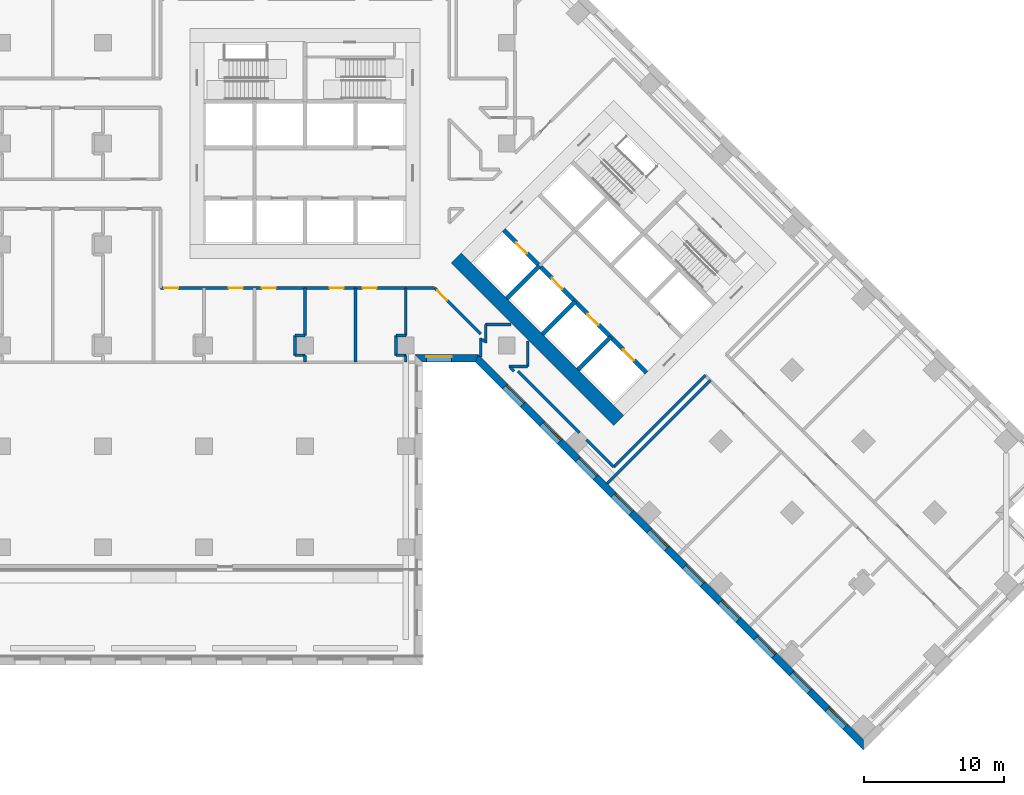
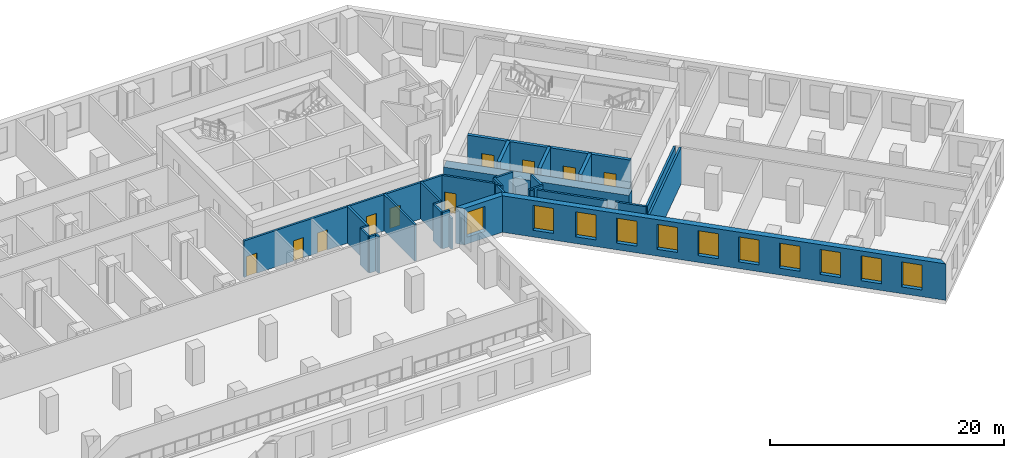
# One storey, part 7 of 14: 31 walls, 11 windows, 10 doors, 21 openings.
"""IFC4 building model written with IfcOpenShell, lengths in metres."""

from ifc_helpers import new_model, si_unit, direction, frame, frame_2d, origin, place, context, subcontext, project, spatial, polyline, rectangle, outline, extrude, material, layer, layer_set, type_object, element, fill, save


model = new_model("IFC4")

# Units and contexts
model_context = context("Model", 3, precision=1e-05, world=origin(), true_north=direction((0.0, 1.0)))
body_context = subcontext(model_context, "Body", "Model", "MODEL_VIEW")
ifc_project = project(units=[si_unit("LENGTHUNIT", "METRE"), si_unit("AREAUNIT", "SQUARE_METRE"), si_unit("VOLUMEUNIT", "CUBIC_METRE"), si_unit("PLANEANGLEUNIT", "RADIAN"), si_unit("MASSUNIT", "GRAM", prefix="KILO")], contexts=[model_context])

# Site, building, storey
site_placement = place(None, origin())
site = spatial("IfcSite", under=ifc_project, at=site_placement, CompositionType="ELEMENT")
building_placement = place(site_placement, origin())
building = spatial("IfcBuilding", under=site, at=building_placement, Name="Windrow Commons", CompositionType="ELEMENT")
storey_placement = place(building_placement, frame((0.0, 0.0, 10.2)))
storey = spatial("IfcBuildingStorey", under=building, at=storey_placement, Name="L02", CompositionType="ELEMENT", Elevation=10.2)

# Wall, opening, window
ifc_material_1 = material(Name="Brick masonry, red clay brick", Category="masonry")
ifc_layer_1 = layer(ifc_material_1, 0.55)
ifc_layer_set_1 = layer_set([ifc_layer_1], Name="Brick facade wall 550")
wall_type_1 = type_object("IfcWallType", Name="Brick facade wall 550", PredefinedType="SOLIDWALL", material=ifc_layer_set_1)
wall_1_placement = place(storey_placement, frame((72.925, 42.275, 0.0), z_axis=(0.0, 0.0, 1.0), x_axis=(1.0, 0.0, 0.0)))
wall_1 = element("IfcWall", 1, at=wall_1_placement, inside=storey, type_object=wall_type_1, Name="Brick facade wall L02 15", PredefinedType="SOLIDWALL", context=body_context, shape_type="SweptSolid", body=[
    extrude(outline(polyline([(0.275, -0.275), (4.0309, -0.275), (4.2587, 0.275), (-0.275, 0.275), (0.275, -0.275)])), origin(), (0.0, 0.0, 1.0), 3.8),
])
opening_1_placement = place(wall_1_placement, frame((0.5375, 0.0, 0.7)))
opening_1 = element("IfcOpeningElement", 2, at=opening_1_placement, cuts=wall_1, Name="Opening W2", PredefinedType="OPENING", context=body_context, shape_type="SweptSolid", body=[
    extrude(rectangle(XDim=1.8, YDim=2.6, at=frame_2d((0.9, 1.3))), frame((0.0, 0.285, 0.0), z_axis=(0.0, -1.0, 0.0), x_axis=(1.0, 0.0, 0.0)), (0.0, 0.0, 1.0), 0.57),
])
ifc_material_2 = material(Name="Clear float glass in anodised aluminium frame", Category="aluminium")
window_type = type_object("IfcWindowType", Name="Window W2 podium 1800x2600", PartitioningType="SINGLE_PANEL", PredefinedType="WINDOW", material=ifc_material_2)
window_1_placement = place(opening_1_placement, origin())
window_1 = element("IfcWindow", 3, at=window_1_placement, inside=storey, type_object=window_type, Name="Window L02 15.1", OverallHeight=2.6, OverallWidth=1.8, PartitioningType="SINGLE_PANEL", PredefinedType="WINDOW", context=body_context, shape_type="SweptSolid", body=[
    extrude(rectangle(XDim=1.8, YDim=2.6, at=frame_2d((0.9, 1.3))), frame((0.0, 0.155, 0.0), z_axis=(0.0, -1.0, 0.0), x_axis=(1.0, 0.0, 0.0)), (0.0, 0.0, 1.0), 0.06),
])
fill(opening_1, window_1)

# Wall, openings, windows
wall_2_placement = place(storey_placement, frame((77.0698, 42.275, 0.0), z_axis=(0.0, 0.0, 1.0), x_axis=(0.7071067812, -0.7071067812, 0.0)))
wall_2 = element("IfcWall", 4, at=wall_2_placement, inside=storey, type_object=wall_type_1, Name="Brick facade wall L02 16", PredefinedType="SOLIDWALL", context=body_context, shape_type="SweptSolid", body=[
    extrude(outline(polyline([(0.1139, -0.275), (39.2875, -0.275), (38.7375, 0.275), (-0.1139, 0.275), (0.1139, -0.275)])), origin(), (0.0, 0.0, 1.0), 3.8),
])
opening_2_placement = place(wall_2_placement, frame((2.8375, 0.0, 0.7)))
opening_2 = element("IfcOpeningElement", 5, at=opening_2_placement, cuts=wall_2, Name="Opening W2", PredefinedType="OPENING", context=body_context, shape_type="SweptSolid", body=[
    extrude(rectangle(XDim=1.8, YDim=2.6, at=frame_2d((0.9, 1.3))), frame((0.0, 0.285, 0.0), z_axis=(0.0, -1.0, 0.0), x_axis=(1.0, 0.0, 0.0)), (0.0, 0.0, 1.0), 0.57),
])
opening_3_placement = place(wall_2_placement, frame((6.5875, 0.0, 0.7)))
opening_3 = element("IfcOpeningElement", 6, at=opening_3_placement, cuts=wall_2, Name="Opening W2", PredefinedType="OPENING", context=body_context, shape_type="SweptSolid", body=[
    extrude(rectangle(XDim=1.8, YDim=2.6, at=frame_2d((0.9, 1.3))), frame((0.0, 0.285, 0.0), z_axis=(0.0, -1.0, 0.0), x_axis=(1.0, 0.0, 0.0)), (0.0, 0.0, 1.0), 0.57),
])
opening_4_placement = place(wall_2_placement, frame((10.1875, 0.0, 0.7)))
opening_4 = element("IfcOpeningElement", 7, at=opening_4_placement, cuts=wall_2, Name="Opening W2", PredefinedType="OPENING", context=body_context, shape_type="SweptSolid", body=[
    extrude(rectangle(XDim=1.8, YDim=2.6, at=frame_2d((0.9, 1.3))), frame((0.0, 0.285, 0.0), z_axis=(0.0, -1.0, 0.0), x_axis=(1.0, 0.0, 0.0)), (0.0, 0.0, 1.0), 0.57),
])
opening_5_placement = place(wall_2_placement, frame((13.7875, 0.0, 0.7)))
opening_5 = element("IfcOpeningElement", 8, at=opening_5_placement, cuts=wall_2, Name="Opening W2", PredefinedType="OPENING", context=body_context, shape_type="SweptSolid", body=[
    extrude(rectangle(XDim=1.8, YDim=2.6, at=frame_2d((0.9, 1.3))), frame((0.0, 0.285, 0.0), z_axis=(0.0, -1.0, 0.0), x_axis=(1.0, 0.0, 0.0)), (0.0, 0.0, 1.0), 0.57),
])
opening_6_placement = place(wall_2_placement, frame((17.3875, 0.0, 0.7)))
opening_6 = element("IfcOpeningElement", 9, at=opening_6_placement, cuts=wall_2, Name="Opening W2", PredefinedType="OPENING", context=body_context, shape_type="SweptSolid", body=[
    extrude(rectangle(XDim=1.8, YDim=2.6, at=frame_2d((0.9, 1.3))), frame((0.0, 0.285, 0.0), z_axis=(0.0, -1.0, 0.0), x_axis=(1.0, 0.0, 0.0)), (0.0, 0.0, 1.0), 0.57),
])
opening_7_placement = place(wall_2_placement, frame((20.9875, 0.0, 0.7)))
opening_7 = element("IfcOpeningElement", 10, at=opening_7_placement, cuts=wall_2, Name="Opening W2", PredefinedType="OPENING", context=body_context, shape_type="SweptSolid", body=[
    extrude(rectangle(XDim=1.8, YDim=2.6, at=frame_2d((0.9, 1.3))), frame((0.0, 0.285, 0.0), z_axis=(0.0, -1.0, 0.0), x_axis=(1.0, 0.0, 0.0)), (0.0, 0.0, 1.0), 0.57),
])
opening_8_placement = place(wall_2_placement, frame((24.5875, 0.0, 0.7)))
opening_8 = element("IfcOpeningElement", 11, at=opening_8_placement, cuts=wall_2, Name="Opening W2", PredefinedType="OPENING", context=body_context, shape_type="SweptSolid", body=[
    extrude(rectangle(XDim=1.8, YDim=2.6, at=frame_2d((0.9, 1.3))), frame((0.0, 0.285, 0.0), z_axis=(0.0, -1.0, 0.0), x_axis=(1.0, 0.0, 0.0)), (0.0, 0.0, 1.0), 0.57),
])
opening_9_placement = place(wall_2_placement, frame((28.1875, 0.0, 0.7)))
opening_9 = element("IfcOpeningElement", 12, at=opening_9_placement, cuts=wall_2, Name="Opening W2", PredefinedType="OPENING", context=body_context, shape_type="SweptSolid", body=[
    extrude(rectangle(XDim=1.8, YDim=2.6, at=frame_2d((0.9, 1.3))), frame((0.0, 0.285, 0.0), z_axis=(0.0, -1.0, 0.0), x_axis=(1.0, 0.0, 0.0)), (0.0, 0.0, 1.0), 0.57),
])
opening_10_placement = place(wall_2_placement, frame((31.7875, 0.0, 0.7)))
opening_10 = element("IfcOpeningElement", 13, at=opening_10_placement, cuts=wall_2, Name="Opening W2", PredefinedType="OPENING", context=body_context, shape_type="SweptSolid", body=[
    extrude(rectangle(XDim=1.8, YDim=2.6, at=frame_2d((0.9, 1.3))), frame((0.0, 0.285, 0.0), z_axis=(0.0, -1.0, 0.0), x_axis=(1.0, 0.0, 0.0)), (0.0, 0.0, 1.0), 0.57),
])
opening_11_placement = place(wall_2_placement, frame((35.3875, 0.0, 0.7)))
opening_11 = element("IfcOpeningElement", 14, at=opening_11_placement, cuts=wall_2, Name="Opening W2", PredefinedType="OPENING", context=body_context, shape_type="SweptSolid", body=[
    extrude(rectangle(XDim=1.8, YDim=2.6, at=frame_2d((0.9, 1.3))), frame((0.0, 0.285, 0.0), z_axis=(0.0, -1.0, 0.0), x_axis=(1.0, 0.0, 0.0)), (0.0, 0.0, 1.0), 0.57),
])
window_2_placement = place(opening_2_placement, origin())
window_2 = element("IfcWindow", 15, at=window_2_placement, inside=storey, type_object=window_type, Name="Window L02 16.1", OverallHeight=2.6, OverallWidth=1.8, PartitioningType="SINGLE_PANEL", PredefinedType="WINDOW", context=body_context, shape_type="SweptSolid", body=[
    extrude(rectangle(XDim=1.8, YDim=2.6, at=frame_2d((0.9, 1.3))), frame((0.0, 0.155, 0.0), z_axis=(0.0, -1.0, 0.0), x_axis=(1.0, 0.0, 0.0)), (0.0, 0.0, 1.0), 0.06),
])
fill(opening_2, window_2)
window_3_placement = place(opening_3_placement, origin())
window_3 = element("IfcWindow", 16, at=window_3_placement, inside=storey, type_object=window_type, Name="Window L02 16.2", OverallHeight=2.6, OverallWidth=1.8, PartitioningType="SINGLE_PANEL", PredefinedType="WINDOW", context=body_context, shape_type="SweptSolid", body=[
    extrude(rectangle(XDim=1.8, YDim=2.6, at=frame_2d((0.9, 1.3))), frame((0.0, 0.155, 0.0), z_axis=(0.0, -1.0, 0.0), x_axis=(1.0, 0.0, 0.0)), (0.0, 0.0, 1.0), 0.06),
])
fill(opening_3, window_3)
window_4_placement = place(opening_4_placement, origin())
window_4 = element("IfcWindow", 17, at=window_4_placement, inside=storey, type_object=window_type, Name="Window L02 16.3", OverallHeight=2.6, OverallWidth=1.8, PartitioningType="SINGLE_PANEL", PredefinedType="WINDOW", context=body_context, shape_type="SweptSolid", body=[
    extrude(rectangle(XDim=1.8, YDim=2.6, at=frame_2d((0.9, 1.3))), frame((0.0, 0.155, 0.0), z_axis=(0.0, -1.0, 0.0), x_axis=(1.0, 0.0, 0.0)), (0.0, 0.0, 1.0), 0.06),
])
fill(opening_4, window_4)
window_5_placement = place(opening_5_placement, origin())
window_5 = element("IfcWindow", 18, at=window_5_placement, inside=storey, type_object=window_type, Name="Window L02 16.4", OverallHeight=2.6, OverallWidth=1.8, PartitioningType="SINGLE_PANEL", PredefinedType="WINDOW", context=body_context, shape_type="SweptSolid", body=[
    extrude(rectangle(XDim=1.8, YDim=2.6, at=frame_2d((0.9, 1.3))), frame((0.0, 0.155, 0.0), z_axis=(0.0, -1.0, 0.0), x_axis=(1.0, 0.0, 0.0)), (0.0, 0.0, 1.0), 0.06),
])
fill(opening_5, window_5)
window_6_placement = place(opening_6_placement, origin())
window_6 = element("IfcWindow", 19, at=window_6_placement, inside=storey, type_object=window_type, Name="Window L02 16.5", OverallHeight=2.6, OverallWidth=1.8, PartitioningType="SINGLE_PANEL", PredefinedType="WINDOW", context=body_context, shape_type="SweptSolid", body=[
    extrude(rectangle(XDim=1.8, YDim=2.6, at=frame_2d((0.9, 1.3))), frame((0.0, 0.155, 0.0), z_axis=(0.0, -1.0, 0.0), x_axis=(1.0, 0.0, 0.0)), (0.0, 0.0, 1.0), 0.06),
])
fill(opening_6, window_6)
window_7_placement = place(opening_7_placement, origin())
window_7 = element("IfcWindow", 20, at=window_7_placement, inside=storey, type_object=window_type, Name="Window L02 16.6", OverallHeight=2.6, OverallWidth=1.8, PartitioningType="SINGLE_PANEL", PredefinedType="WINDOW", context=body_context, shape_type="SweptSolid", body=[
    extrude(rectangle(XDim=1.8, YDim=2.6, at=frame_2d((0.9, 1.3))), frame((0.0, 0.155, 0.0), z_axis=(0.0, -1.0, 0.0), x_axis=(1.0, 0.0, 0.0)), (0.0, 0.0, 1.0), 0.06),
])
fill(opening_7, window_7)
window_8_placement = place(opening_8_placement, origin())
window_8 = element("IfcWindow", 21, at=window_8_placement, inside=storey, type_object=window_type, Name="Window L02 16.7", OverallHeight=2.6, OverallWidth=1.8, PartitioningType="SINGLE_PANEL", PredefinedType="WINDOW", context=body_context, shape_type="SweptSolid", body=[
    extrude(rectangle(XDim=1.8, YDim=2.6, at=frame_2d((0.9, 1.3))), frame((0.0, 0.155, 0.0), z_axis=(0.0, -1.0, 0.0), x_axis=(1.0, 0.0, 0.0)), (0.0, 0.0, 1.0), 0.06),
])
fill(opening_8, window_8)
window_9_placement = place(opening_9_placement, origin())
window_9 = element("IfcWindow", 22, at=window_9_placement, inside=storey, type_object=window_type, Name="Window L02 16.8", OverallHeight=2.6, OverallWidth=1.8, PartitioningType="SINGLE_PANEL", PredefinedType="WINDOW", context=body_context, shape_type="SweptSolid", body=[
    extrude(rectangle(XDim=1.8, YDim=2.6, at=frame_2d((0.9, 1.3))), frame((0.0, 0.155, 0.0), z_axis=(0.0, -1.0, 0.0), x_axis=(1.0, 0.0, 0.0)), (0.0, 0.0, 1.0), 0.06),
])
fill(opening_9, window_9)
window_10_placement = place(opening_10_placement, origin())
window_10 = element("IfcWindow", 23, at=window_10_placement, inside=storey, type_object=window_type, Name="Window L02 16.9", OverallHeight=2.6, OverallWidth=1.8, PartitioningType="SINGLE_PANEL", PredefinedType="WINDOW", context=body_context, shape_type="SweptSolid", body=[
    extrude(rectangle(XDim=1.8, YDim=2.6, at=frame_2d((0.9, 1.3))), frame((0.0, 0.155, 0.0), z_axis=(0.0, -1.0, 0.0), x_axis=(1.0, 0.0, 0.0)), (0.0, 0.0, 1.0), 0.06),
])
fill(opening_10, window_10)
window_11_placement = place(opening_11_placement, origin())
window_11 = element("IfcWindow", 24, at=window_11_placement, inside=storey, type_object=window_type, Name="Window L02 16.10", OverallHeight=2.6, OverallWidth=1.8, PartitioningType="SINGLE_PANEL", PredefinedType="WINDOW", context=body_context, shape_type="SweptSolid", body=[
    extrude(rectangle(XDim=1.8, YDim=2.6, at=frame_2d((0.9, 1.3))), frame((0.0, 0.155, 0.0), z_axis=(0.0, -1.0, 0.0), x_axis=(1.0, 0.0, 0.0)), (0.0, 0.0, 1.0), 0.06),
])
fill(opening_11, window_11)

# Wall, openings, doors
ifc_material_3 = material(Name="Blockwork partition", Category="masonry")
ifc_layer_2 = layer(ifc_material_3, 0.2)
ifc_layer_set_2 = layer_set([ifc_layer_2], Name="IW-CORRIDOR-200")
wall_type_2 = type_object("IfcWallType", Name="IW-CORRIDOR-200", PredefinedType="PARTITIONING", material=ifc_layer_set_2)
wall_3_placement = place(storey_placement, frame((54.5, 47.3, 0.0), z_axis=(0.0, 0.0, 1.0), x_axis=(1.0, 0.0, 0.0)))
wall_3 = element("IfcWall", 25, at=wall_3_placement, inside=storey, type_object=wall_type_2, Name="W-L02-W008", PredefinedType="PARTITIONING", context=body_context, shape_type="SweptSolid", body=[
    extrude(rectangle(XDim=19.56, YDim=0.2, at=frame_2d((9.78, 0.0))), origin(), (0.0, 0.0, 1.0), 3.8),
])
opening_12_placement = place(wall_3_placement, frame((0.2524, 0.0, 0.0)))
opening_12 = element("IfcOpeningElement", 26, at=opening_12_placement, cuts=wall_3, Name="Opening D310F", PredefinedType="OPENING", context=body_context, shape_type="SweptSolid", body=[
    extrude(rectangle(XDim=1.0, YDim=2.1, at=frame_2d((0.5, 1.05))), frame((0.0, 0.11, 0.0), z_axis=(0.0, -1.0, 0.0), x_axis=(1.0, 0.0, 0.0)), (0.0, 0.0, 1.0), 0.22),
])
opening_13_placement = place(wall_3_placement, frame((4.865, 0.0, 0.0)))
opening_13 = element("IfcOpeningElement", 27, at=opening_13_placement, cuts=wall_3, Name="Opening D310F", PredefinedType="OPENING", context=body_context, shape_type="SweptSolid", body=[
    extrude(rectangle(XDim=1.0, YDim=2.1, at=frame_2d((0.5, 1.05))), frame((0.0, 0.11, 0.0), z_axis=(0.0, -1.0, 0.0), x_axis=(1.0, 0.0, 0.0)), (0.0, 0.0, 1.0), 0.22),
])
opening_14_placement = place(wall_3_placement, frame((7.225, 0.0, 0.0)))
opening_14 = element("IfcOpeningElement", 28, at=opening_14_placement, cuts=wall_3, Name="Opening D310F", PredefinedType="OPENING", context=body_context, shape_type="SweptSolid", body=[
    extrude(rectangle(XDim=1.0, YDim=2.1, at=frame_2d((0.5, 1.05))), frame((0.0, 0.11, 0.0), z_axis=(0.0, -1.0, 0.0), x_axis=(1.0, 0.0, 0.0)), (0.0, 0.0, 1.0), 0.22),
])
opening_15_placement = place(wall_3_placement, frame((12.065, 0.0, 0.0)))
opening_15 = element("IfcOpeningElement", 29, at=opening_15_placement, cuts=wall_3, Name="Opening D310F", PredefinedType="OPENING", context=body_context, shape_type="SweptSolid", body=[
    extrude(rectangle(XDim=1.0, YDim=2.1, at=frame_2d((0.5, 1.05))), frame((0.0, 0.11, 0.0), z_axis=(0.0, -1.0, 0.0), x_axis=(1.0, 0.0, 0.0)), (0.0, 0.0, 1.0), 0.22),
])
opening_16_placement = place(wall_3_placement, frame((14.425, 0.0, 0.0)))
opening_16 = element("IfcOpeningElement", 30, at=opening_16_placement, cuts=wall_3, Name="Opening D310F", PredefinedType="OPENING", context=body_context, shape_type="SweptSolid", body=[
    extrude(rectangle(XDim=1.0, YDim=2.1, at=frame_2d((0.5, 1.05))), frame((0.0, 0.11, 0.0), z_axis=(0.0, -1.0, 0.0), x_axis=(1.0, 0.0, 0.0)), (0.0, 0.0, 1.0), 0.22),
])
ifc_material_4 = material(Name="Timber door leaf", Category="wood")
door_type_1 = type_object("IfcDoorType", Name="DT-AMENITY-1000", OperationType="SINGLE_SWING_LEFT", PredefinedType="DOOR", material=ifc_material_4)
door_1_placement = place(opening_12_placement, origin())
door_1 = element("IfcDoor", 31, at=door_1_placement, inside=storey, type_object=door_type_1, Name="D-L02-D011", OperationType="SINGLE_SWING_RIGHT", OverallHeight=2.1, OverallWidth=1.0, PredefinedType="DOOR", context=body_context, shape_type="SweptSolid", body=[
    extrude(rectangle(XDim=1.0, YDim=2.1, at=frame_2d((0.5, 1.05))), frame((0.0, 0.025, 0.0), z_axis=(0.0, -1.0, 0.0), x_axis=(1.0, 0.0, 0.0)), (0.0, 0.0, 1.0), 0.05),
])
fill(opening_12, door_1)
door_2_placement = place(opening_13_placement, origin())
door_2 = element("IfcDoor", 32, at=door_2_placement, inside=storey, type_object=door_type_1, Name="D-L02-D012", OperationType="SINGLE_SWING_LEFT", OverallHeight=2.1, OverallWidth=1.0, PredefinedType="DOOR", context=body_context, shape_type="SweptSolid", body=[
    extrude(rectangle(XDim=1.0, YDim=2.1, at=frame_2d((0.5, 1.05))), frame((0.0, 0.025, 0.0), z_axis=(0.0, -1.0, 0.0), x_axis=(1.0, 0.0, 0.0)), (0.0, 0.0, 1.0), 0.05),
])
fill(opening_13, door_2)
door_3_placement = place(opening_14_placement, origin())
door_3 = element("IfcDoor", 33, at=door_3_placement, inside=storey, type_object=door_type_1, Name="D-L02-D013", OperationType="SINGLE_SWING_RIGHT", OverallHeight=2.1, OverallWidth=1.0, PredefinedType="DOOR", context=body_context, shape_type="SweptSolid", body=[
    extrude(rectangle(XDim=1.0, YDim=2.1, at=frame_2d((0.5, 1.05))), frame((0.0, 0.025, 0.0), z_axis=(0.0, -1.0, 0.0), x_axis=(1.0, 0.0, 0.0)), (0.0, 0.0, 1.0), 0.05),
])
fill(opening_14, door_3)
door_4_placement = place(opening_15_placement, origin())
door_4 = element("IfcDoor", 34, at=door_4_placement, inside=storey, type_object=door_type_1, Name="D-L02-D014", OperationType="SINGLE_SWING_LEFT", OverallHeight=2.1, OverallWidth=1.0, PredefinedType="DOOR", context=body_context, shape_type="SweptSolid", body=[
    extrude(rectangle(XDim=1.0, YDim=2.1, at=frame_2d((0.5, 1.05))), frame((0.0, 0.025, 0.0), z_axis=(0.0, -1.0, 0.0), x_axis=(1.0, 0.0, 0.0)), (0.0, 0.0, 1.0), 0.05),
])
fill(opening_15, door_4)
door_5_placement = place(opening_16_placement, origin())
door_5 = element("IfcDoor", 35, at=door_5_placement, inside=storey, type_object=door_type_1, Name="D-L02-D015", OperationType="SINGLE_SWING_RIGHT", OverallHeight=2.1, OverallWidth=1.0, PredefinedType="DOOR", context=body_context, shape_type="SweptSolid", body=[
    extrude(rectangle(XDim=1.0, YDim=2.1, at=frame_2d((0.5, 1.05))), frame((0.0, 0.025, 0.0), z_axis=(0.0, -1.0, 0.0), x_axis=(1.0, 0.0, 0.0)), (0.0, 0.0, 1.0), 0.05),
])
fill(opening_16, door_5)

# Walls
wall_4_placement = place(storey_placement, frame((86.8359, 34.5241, 0.0), z_axis=(0.0, 0.0, 1.0), x_axis=(0.7071067812, 0.7071067812, 0.0)))
element("IfcWall", 36, at=wall_4_placement, inside=storey, type_object=wall_type_2, Name="W-L02-W031", PredefinedType="PARTITIONING", context=body_context, shape_type="SweptSolid", body=[
    extrude(rectangle(XDim=9.249, YDim=0.2, at=frame_2d((4.6245, 0.0))), origin(), (0.0, 0.0, 1.0), 3.8),
])
wall_5_placement = place(storey_placement, frame((80.0068, 41.3468, 0.0), z_axis=(0.0, 0.0, 1.0), x_axis=(0.7071067812, -0.7071067812, 0.0)))
element("IfcWall", 37, at=wall_5_placement, inside=storey, type_object=wall_type_2, Name="W-L02-W038", PredefinedType="PARTITIONING", context=body_context, shape_type="SweptSolid", body=[
    extrude(rectangle(XDim=6.2056, YDim=0.2, at=frame_2d((3.1028, 0.0))), origin(), (0.0, 0.0, 1.0), 3.8),
])

# Wall, opening, door
wall_6_placement = place(storey_placement, frame((74.0568, 47.2968, 0.0), z_axis=(0.0, 0.0, 1.0), x_axis=(0.7071067812, -0.7071067812, 0.0)))
wall_6 = element("IfcWall", 38, at=wall_6_placement, inside=storey, type_object=wall_type_2, Name="W-L02-W062", PredefinedType="PARTITIONING", context=body_context, shape_type="SweptSolid", body=[
    extrude(rectangle(XDim=4.6528, YDim=0.2, at=frame_2d((2.3264, 0.0))), origin(), (0.0, 0.0, 1.0), 3.8),
])
opening_17_placement = place(wall_6_placement, frame((0.2665, 0.0, 0.0)))
opening_17 = element("IfcOpeningElement", 39, at=opening_17_placement, cuts=wall_6, Name="Opening D310F", PredefinedType="OPENING", context=body_context, shape_type="SweptSolid", body=[
    extrude(rectangle(XDim=1.0, YDim=2.1, at=frame_2d((0.5, 1.05))), frame((0.0, 0.11, 0.0), z_axis=(0.0, -1.0, 0.0), x_axis=(1.0, 0.0, 0.0)), (0.0, 0.0, 1.0), 0.22),
])
door_6_placement = place(opening_17_placement, origin())
door_6 = element("IfcDoor", 40, at=door_6_placement, inside=storey, type_object=door_type_1, Name="D-L02-D016", OperationType="SINGLE_SWING_LEFT", OverallHeight=2.1, OverallWidth=1.0, PredefinedType="DOOR", context=body_context, shape_type="SweptSolid", body=[
    extrude(rectangle(XDim=1.0, YDim=2.1, at=frame_2d((0.5, 1.05))), frame((0.0, 0.025, 0.0), z_axis=(0.0, -1.0, 0.0), x_axis=(1.0, 0.0, 0.0)), (0.0, 0.0, 1.0), 0.05),
])
fill(opening_17, door_6)

# Walls
wall_7_placement = place(storey_placement, frame((84.8888, 36.4648, 0.0), z_axis=(0.0, 0.0, 1.0), x_axis=(0.7071067812, -0.7071067812, 0.0)))
element("IfcWall", 41, at=wall_7_placement, inside=storey, type_object=wall_type_2, Name="W-L02-W075", PredefinedType="PARTITIONING", context=body_context, shape_type="SweptSolid", body=[
    extrude(rectangle(XDim=2.7492, YDim=0.2, at=frame_2d((1.3746, 0.0))), origin(), (0.0, 0.0, 1.0), 3.8),
])
for number, where, z_axis, x_axis, name in (
    (42, (77.702, 44.7, 0.0), (0.0, 0.0, 1.0), (1.0, 0.0, 0.0), "W-L02-W100"),
    (43, (80.7, 41.702, 0.0), (0.0, 0.0, 1.0), (0.0, 1.0, 0.0), "W-L02-W101"),
):
    element("IfcWall", number, at=place(storey_placement, frame(where, z_axis=z_axis, x_axis=x_axis)), inside=storey, type_object=wall_type_2, Name=name, PredefinedType="PARTITIONING", context=body_context, shape_type="SweptSolid", body=[
        extrude(rectangle(XDim=1.814, YDim=0.2, at=frame_2d((0.907, 0.0))), origin(), (0.0, 0.0, 1.0), 3.8),
    ])
for number, where, z_axis, x_axis, name in (
    (44, (77.7, 43.378, 0.0), (0.0, 0.0, 1.0), (0.0, 1.0, 0.0), "W-L02-W125"),
    (45, (79.378, 41.7, 0.0), (0.0, 0.0, 1.0), (1.0, 0.0, 0.0), "W-L02-W126"),
):
    element("IfcWall", number, at=place(storey_placement, frame(where, z_axis=z_axis, x_axis=x_axis)), inside=storey, type_object=wall_type_2, Name=name, PredefinedType="PARTITIONING", context=body_context, shape_type="SweptSolid", body=[
        extrude(rectangle(XDim=1.322, YDim=0.2, at=frame_2d((0.661, 0.0))), origin(), (0.0, 0.0, 1.0), 3.8),
    ])
wall_8_placement = place(storey_placement, frame((77.4454, 43.6396, 0.0), z_axis=(0.0, 0.0, 1.0), x_axis=(0.7071067812, -0.7071067812, 0.0)))
element("IfcWall", 46, at=wall_8_placement, inside=storey, type_object=wall_type_2, Name="W-L02-W187", PredefinedType="PARTITIONING", context=body_context, shape_type="SweptSolid", body=[
    extrude(rectangle(XDim=0.225, YDim=0.2, at=frame_2d((0.1125, 0.0))), origin(), (0.0, 0.0, 1.0), 3.8),
])
wall_9_placement = place(storey_placement, frame((79.4805, 41.6045, 0.0), z_axis=(0.0, 0.0, 1.0), x_axis=(0.7071067812, -0.7071067812, 0.0)))
element("IfcWall", 47, at=wall_9_placement, inside=storey, type_object=wall_type_2, Name="W-L02-W188", PredefinedType="PARTITIONING", context=body_context, shape_type="SweptSolid", body=[
    extrude(rectangle(XDim=0.355, YDim=0.2, at=frame_2d((0.1775, 0.0))), origin(), (0.0, 0.0, 1.0), 3.8),
])
ifc_material_5 = material(Name="Blockwork partition", Category="masonry")
ifc_layer_3 = layer(ifc_material_5, 0.2)
ifc_layer_set_3 = layer_set([ifc_layer_3], Name="IW-PARTY-200")
wall_type_3 = type_object("IfcWallType", Name="IW-PARTY-200", PredefinedType="PARTITIONING", material=ifc_layer_set_3)
wall_10_placement = place(storey_placement, frame((86.3763, 33.3574, 0.0), z_axis=(0.0, 0.0, 1.0), x_axis=(0.7071019736, 0.7071115887, 0.0)))
element("IfcWall", 48, at=wall_10_placement, inside=storey, type_object=wall_type_3, Name="W-L02-W014", PredefinedType="PARTITIONING", context=body_context, shape_type="SweptSolid", body=[
    extrude(rectangle(XDim=10.4003, YDim=0.2, at=frame_2d((5.2001, 0.0))), origin(), (0.0, 0.0, 1.0), 3.8),
])
wall_11_placement = place(storey_placement, frame((68.4, 42.0, 0.0), z_axis=(0.0, 0.0, 1.0), x_axis=(0.0, 1.0, 0.0)))
element("IfcWall", 49, at=wall_11_placement, inside=storey, type_object=wall_type_3, Name="W-L02-W053", PredefinedType="PARTITIONING", context=body_context, shape_type="SweptSolid", body=[
    extrude(rectangle(XDim=5.3, YDim=0.2, at=frame_2d((2.65, 0.0))), origin(), (0.0, 0.0, 1.0), 3.8),
])
for number, where, z_axis, x_axis, name in (
    (50, (64.8, 43.906, 0.0), (0.0, 0.0, 1.0), (0.0, 1.0, 0.0), "W-L02-W069"),
    (51, (72.0, 43.906, 0.0), (0.0, 0.0, 1.0), (0.0, 1.0, 0.0), "W-L02-W070"),
):
    element("IfcWall", number, at=place(storey_placement, frame(where, z_axis=z_axis, x_axis=x_axis)), inside=storey, type_object=wall_type_3, Name=name, PredefinedType="PARTITIONING", context=body_context, shape_type="SweptSolid", body=[
        extrude(rectangle(XDim=3.394, YDim=0.2, at=frame_2d((1.697, 0.0))), origin(), (0.0, 0.0, 1.0), 3.8),
    ])
for number, where, z_axis, x_axis, name in (
    (52, (64.1, 42.496, 0.0), (0.0, 0.0, 1.0), (0.0, 1.0, 0.0), "W-L02-W121"),
    (53, (71.3, 42.496, 0.0), (0.0, 0.0, 1.0), (0.0, 1.0, 0.0), "W-L02-W122"),
):
    element("IfcWall", number, at=place(storey_placement, frame(where, z_axis=z_axis, x_axis=x_axis)), inside=storey, type_object=wall_type_3, Name=name, PredefinedType="PARTITIONING", context=body_context, shape_type="SweptSolid", body=[
        extrude(rectangle(XDim=1.41, YDim=0.2, at=frame_2d((0.705, 0.0))), origin(), (0.0, 0.0, 1.0), 3.8),
    ])
wall_12_placement = place(storey_placement, frame((77.35, 42.3837, 0.0), z_axis=(0.0, 0.0, 1.0), x_axis=(0.0, 1.0, 0.0)))
element("IfcWall", 54, at=wall_12_placement, inside=storey, type_object=wall_type_3, Name="W-L02-W130", PredefinedType="PARTITIONING", context=body_context, shape_type="SweptSolid", body=[
    extrude(rectangle(XDim=1.3443, YDim=0.2, at=frame_2d((0.6722, 0.0))), origin(), (0.0, 0.0, 1.0), 3.8),
])
for number, where, z_axis, x_axis, name in (
    (55, (64.1, 43.91, 0.0), (0.0, 0.0, 1.0), (1.0, 0.0, 0.0), "W-L02-W149"),
    (56, (71.3, 43.91, 0.0), (0.0, 0.0, 1.0), (1.0, 0.0, 0.0), "W-L02-W150"),
    (57, (64.1, 42.5, 0.0), (0.0, 0.0, 1.0), (1.0, 0.0, 0.0), "W-L02-W154"),
    (58, (71.3, 42.5, 0.0), (0.0, 0.0, 1.0), (1.0, 0.0, 0.0), "W-L02-W155"),
):
    element("IfcWall", number, at=place(storey_placement, frame(where, z_axis=z_axis, x_axis=x_axis)), inside=storey, type_object=wall_type_3, Name=name, PredefinedType="PARTITIONING", context=body_context, shape_type="SweptSolid", body=[
        extrude(rectangle(XDim=0.7, YDim=0.2, at=frame_2d((0.35, 0.0))), origin(), (0.0, 0.0, 1.0), 3.8),
    ])
wall_13_placement = place(storey_placement, frame((64.8, 42.0, 0.0), z_axis=(0.0, 0.0, 1.0), x_axis=(0.0, 1.0, 0.0)))
element("IfcWall", 59, at=wall_13_placement, inside=storey, type_object=wall_type_3, Name="W-L02-W185", PredefinedType="PARTITIONING", context=body_context, shape_type="SweptSolid", body=[
    extrude(rectangle(XDim=0.496, YDim=0.2, at=frame_2d((0.248, 0.0))), origin(), (0.0, 0.0, 1.0), 3.8),
])
wall_14_placement = place(storey_placement, frame((72.0, 42.0, 0.0), z_axis=(0.0, 0.0, 1.0), x_axis=(0.0, 1.0, 0.0)))
element("IfcWall", 60, at=wall_14_placement, inside=storey, type_object=wall_type_3, Name="W-L02-W186", PredefinedType="PARTITIONING", context=body_context, shape_type="SweptSolid", body=[
    extrude(rectangle(XDim=0.496, YDim=0.2, at=frame_2d((0.248, 0.0))), origin(), (0.0, 0.0, 1.0), 3.2),
])
ifc_material_6 = material(Name="Concrete C60/75", Category="concrete")
ifc_layer_4 = layer(ifc_material_6, 1.0)
ifc_layer_set_4 = layer_set([ifc_layer_4], Name="RC CORE WALL 1000 C60/75")
wall_type_4 = type_object("IfcWallType", Name="RC CORE WALL 1000 C60/75", PredefinedType="SHEAR", material=ifc_layer_set_4)
wall_15_placement = place(storey_placement, frame((75.5938, 49.4433, -0.4), z_axis=(0.0, 0.0, 1.0), x_axis=(0.7071037324, -0.70710983, 0.0)))
element("IfcWall", 61, at=wall_15_placement, inside=storey, type_object=wall_type_4, Name="Core B wall outer-S", PredefinedType="SHEAR", context=body_context, shape_type="SweptSolid", body=[
    extrude(rectangle(XDim=16.4, YDim=1.0, at=frame_2d((8.2, 0.0))), origin(), (0.0, 0.0, 1.0), 3.5),
])
ifc_material_7 = material(Name="Concrete C60/75", Category="concrete")
ifc_layer_5 = layer(ifc_material_7, 0.3)
ifc_layer_set_5 = layer_set([ifc_layer_5], Name="RC SHAFT WALL 300 C60/75")
wall_type_5 = type_object("IfcWallType", Name="RC SHAFT WALL 300 C60/75", PredefinedType="SOLIDWALL", material=ifc_layer_set_5)
wall_16_placement = place(storey_placement, frame((79.2, 46.5442, 0.0), z_axis=(0.0, 0.0, 1.0), x_axis=(0.7071219326, 0.7070916295, 0.0)))
element("IfcWall", 62, at=wall_16_placement, inside=storey, type_object=wall_type_5, Name="Core B wall shaft-S1", PredefinedType="SOLIDWALL", context=body_context, shape_type="SweptSolid", body=[
    extrude(rectangle(XDim=3.3, YDim=0.3, at=frame_2d((1.65, 0.0))), origin(), (0.0, 0.0, 1.0), 3.8),
])
for number, where, z_axis, x_axis, name in (
    (63, (81.7456, 43.9986, 0.0), (0.0, 0.0, 1.0), (0.7071067812, 0.7071067812, 0.0), "Core B wall shaft-S2"),
    (64, (84.2912, 41.453, 0.0), (0.0, 0.0, 1.0), (0.7071067812, 0.7071067812, 0.0), "Core B wall shaft-S3"),
):
    element("IfcWall", number, at=place(storey_placement, frame(where, z_axis=z_axis, x_axis=x_axis)), inside=storey, type_object=wall_type_5, Name=name, PredefinedType="SOLIDWALL", context=body_context, shape_type="SweptSolid", body=[
        extrude(rectangle(XDim=3.2999, YDim=0.3, at=frame_2d((1.65, 0.0))), origin(), (0.0, 0.0, 1.0), 3.8),
    ])

# Wall, openings, doors
wall_17_placement = place(storey_placement, frame((78.9879, 51.4232, 0.0), z_axis=(0.0, 0.0, 1.0), x_axis=(0.7071067812, -0.7071067812, 0.0)))
wall_17 = element("IfcWall", 65, at=wall_17_placement, inside=storey, type_object=wall_type_5, Name="Core B wall lobby-S", PredefinedType="SOLIDWALL", context=body_context, shape_type="SweptSolid", body=[
    extrude(rectangle(XDim=14.3999, YDim=0.3, at=frame_2d((7.2, 0.0))), origin(), (0.0, 0.0, 1.0), 3.8),
])
opening_18_placement = place(wall_17_placement, frame((1.25, 0.0, 0.0)))
opening_18 = element("IfcOpeningElement", 66, at=opening_18_placement, cuts=wall_17, Name="Opening LD", PredefinedType="OPENING", context=body_context, shape_type="SweptSolid", body=[
    extrude(rectangle(XDim=1.1, YDim=2.1, at=frame_2d((0.55, 1.05))), frame((0.0, 0.16, 0.0), z_axis=(0.0, -1.0, 0.0), x_axis=(1.0, 0.0, 0.0)), (0.0, 0.0, 1.0), 0.32),
])
opening_19_placement = place(wall_17_placement, frame((4.85, 0.0, 0.0)))
opening_19 = element("IfcOpeningElement", 67, at=opening_19_placement, cuts=wall_17, Name="Opening LD", PredefinedType="OPENING", context=body_context, shape_type="SweptSolid", body=[
    extrude(rectangle(XDim=1.1, YDim=2.1, at=frame_2d((0.55, 1.05))), frame((0.0, 0.16, 0.0), z_axis=(0.0, -1.0, 0.0), x_axis=(1.0, 0.0, 0.0)), (0.0, 0.0, 1.0), 0.32),
])
opening_20_placement = place(wall_17_placement, frame((8.45, 0.0, 0.0)))
opening_20 = element("IfcOpeningElement", 68, at=opening_20_placement, cuts=wall_17, Name="Opening LD", PredefinedType="OPENING", context=body_context, shape_type="SweptSolid", body=[
    extrude(rectangle(XDim=1.1, YDim=2.1, at=frame_2d((0.55, 1.05))), frame((0.0, 0.16, 0.0), z_axis=(0.0, -1.0, 0.0), x_axis=(1.0, 0.0, 0.0)), (0.0, 0.0, 1.0), 0.32),
])
opening_21_placement = place(wall_17_placement, frame((12.05, 0.0, 0.0)))
opening_21 = element("IfcOpeningElement", 69, at=opening_21_placement, cuts=wall_17, Name="Opening LD", PredefinedType="OPENING", context=body_context, shape_type="SweptSolid", body=[
    extrude(rectangle(XDim=1.1, YDim=2.1, at=frame_2d((0.55, 1.05))), frame((0.0, 0.16, 0.0), z_axis=(0.0, -1.0, 0.0), x_axis=(1.0, 0.0, 0.0)), (0.0, 0.0, 1.0), 0.32),
])
ifc_material_8 = material(Name="Stainless steel door leaf", Category="steel")
door_type_2 = type_object("IfcDoorType", Name="Lift landing door 1100", OperationType="SLIDING_TO_LEFT", PredefinedType="DOOR", material=ifc_material_8)
door_7_placement = place(opening_18_placement, origin())
door_7 = element("IfcDoor", 70, at=door_7_placement, inside=storey, type_object=door_type_2, Name="Lift landing door", OperationType="SLIDING_TO_LEFT", OverallHeight=2.1, OverallWidth=1.1, PredefinedType="DOOR", context=body_context, shape_type="SweptSolid", body=[
    extrude(rectangle(XDim=1.1, YDim=2.1, at=frame_2d((0.55, 1.05))), frame((0.0, 0.025, 0.0), z_axis=(0.0, -1.0, 0.0), x_axis=(1.0, 0.0, 0.0)), (0.0, 0.0, 1.0), 0.05),
])
fill(opening_18, door_7)
door_8_placement = place(opening_19_placement, origin())
door_8 = element("IfcDoor", 71, at=door_8_placement, inside=storey, type_object=door_type_2, Name="Lift landing door", OperationType="SLIDING_TO_RIGHT", OverallHeight=2.1, OverallWidth=1.1, PredefinedType="DOOR", context=body_context, shape_type="SweptSolid", body=[
    extrude(rectangle(XDim=1.1, YDim=2.1, at=frame_2d((0.55, 1.05))), frame((0.0, 0.025, 0.0), z_axis=(0.0, -1.0, 0.0), x_axis=(1.0, 0.0, 0.0)), (0.0, 0.0, 1.0), 0.05),
])
fill(opening_19, door_8)
door_9_placement = place(opening_20_placement, origin())
door_9 = element("IfcDoor", 72, at=door_9_placement, inside=storey, type_object=door_type_2, Name="Lift landing door", OperationType="SLIDING_TO_LEFT", OverallHeight=2.1, OverallWidth=1.1, PredefinedType="DOOR", context=body_context, shape_type="SweptSolid", body=[
    extrude(rectangle(XDim=1.1, YDim=2.1, at=frame_2d((0.55, 1.05))), frame((0.0, 0.025, 0.0), z_axis=(0.0, -1.0, 0.0), x_axis=(1.0, 0.0, 0.0)), (0.0, 0.0, 1.0), 0.05),
])
fill(opening_20, door_9)
door_10_placement = place(opening_21_placement, origin())
door_10 = element("IfcDoor", 73, at=door_10_placement, inside=storey, type_object=door_type_2, Name="Lift landing door", OperationType="SLIDING_TO_RIGHT", OverallHeight=2.1, OverallWidth=1.1, PredefinedType="DOOR", context=body_context, shape_type="SweptSolid", body=[
    extrude(rectangle(XDim=1.1, YDim=2.1, at=frame_2d((0.55, 1.05))), frame((0.0, 0.025, 0.0), z_axis=(0.0, -1.0, 0.0), x_axis=(1.0, 0.0, 0.0)), (0.0, 0.0, 1.0), 0.05),
])
fill(opening_21, door_10)

save(model, "model.ifc")
